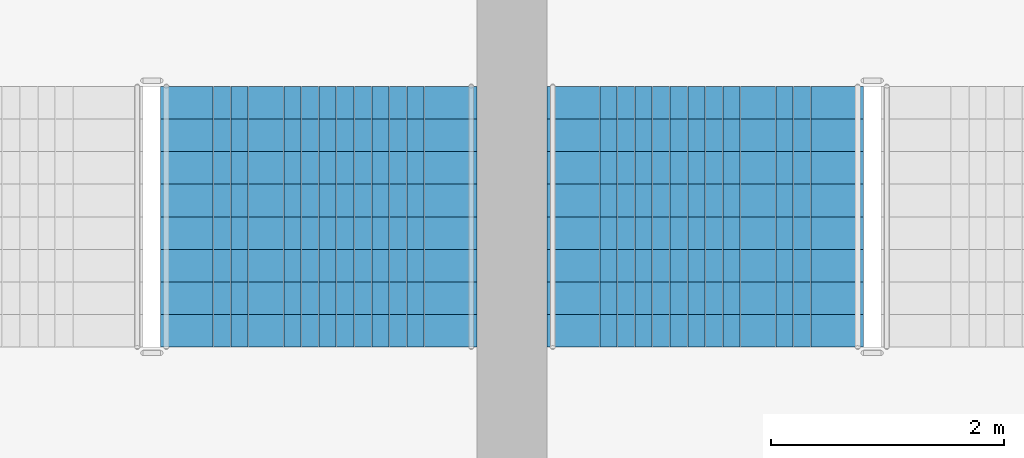
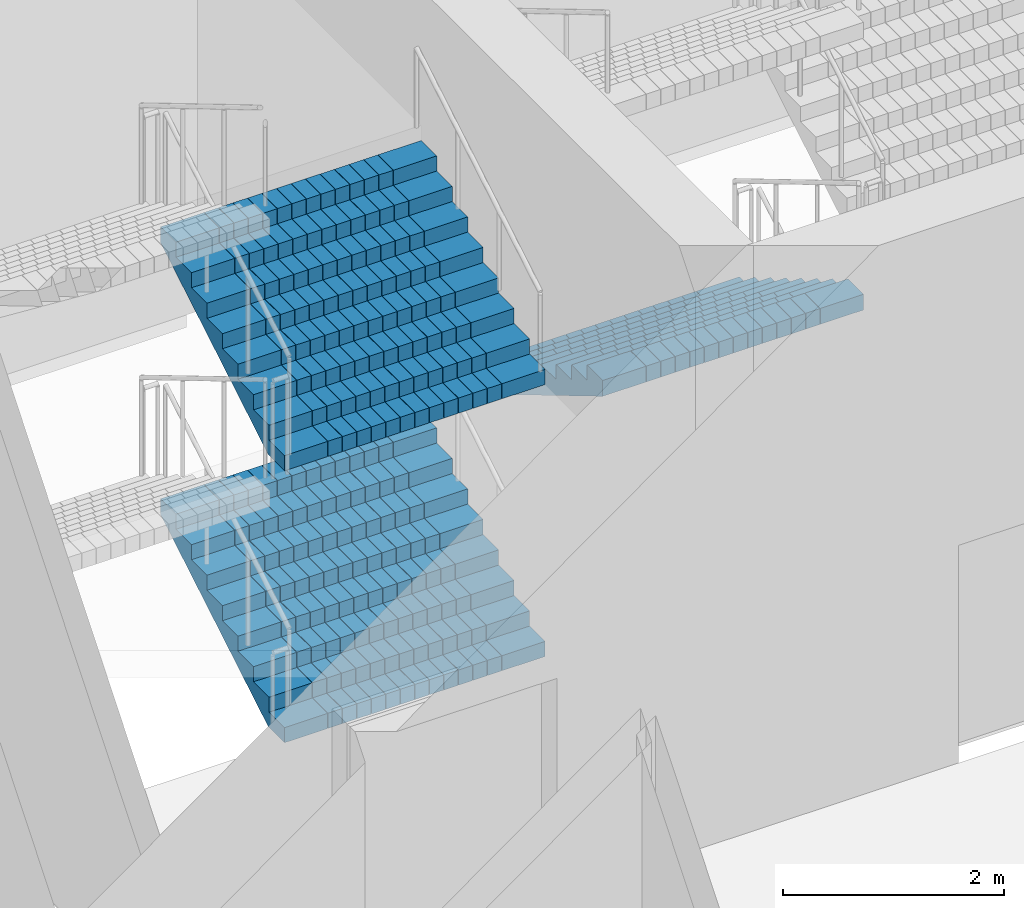
# One storey, part 29 of 43: 3 stair flights, 2 elements without a shape of their own.
"""IFC4 building model written with IfcOpenShell, lengths in metres."""

from ifc_helpers import new_model, si_unit, direction, frame, origin, place, context, subcontext, project, spatial, polyline, outline, extrude, material, type_object, element, aggregate, save


model = new_model("IFC4")

# Units and contexts
model_context = context("Model", 3, precision=1e-05, world=origin(), true_north=direction((0.0, 1.0)))
body_context = subcontext(model_context, "Body", "Model", "MODEL_VIEW")
ifc_project = project(units=[si_unit("LENGTHUNIT", "METRE"), si_unit("AREAUNIT", "SQUARE_METRE"), si_unit("VOLUMEUNIT", "CUBIC_METRE"), si_unit("PLANEANGLEUNIT", "RADIAN"), si_unit("MASSUNIT", "GRAM", prefix="KILO")], contexts=[model_context])

# Site, building, storey
site_placement = place(None, origin())
site = spatial("IfcSite", under=ifc_project, at=site_placement, CompositionType="ELEMENT")
building_placement = place(site_placement, origin())
building = spatial("IfcBuilding", under=site, at=building_placement, Name="Corbelhall Arena Tower", CompositionType="ELEMENT")
storey_placement = place(building_placement, frame((0.0, 0.0, 25.0)))
storey = spatial("IfcBuildingStorey", under=building, at=storey_placement, Name="L03", CompositionType="ELEMENT", Elevation=25.0)

# Stair, stair flight
ifc_material = material(Name="Reinforced concrete C40/50", Category="concrete")
stair_type = type_object("IfcStairType", Name="AR-EXIT-STAIR", PredefinedType="HALF_TURN_STAIR", material=ifc_material)
stair_1_placement = place(storey_placement, origin())
stair_1 = element("IfcStair", 1, at=stair_1_placement, inside=storey, type_object=stair_type, Name="L03 exit stair AS3", PredefinedType="HALF_TURN_STAIR")
stair_flight_type = type_object("IfcStairFlightType", Name="AR-EXIT-FLIGHT", PredefinedType="STRAIGHT", material=ifc_material)
stair_flight_1_placement = place(storey_placement, frame((-38.840087890625, 29.56005859375, 1.5), z_axis=(0.0, 0.0, 1.0), x_axis=(0.0, -1.0, 0.0)))
stair_flight_1 = element("IfcStairFlight", 2, at=stair_flight_1_placement, type_object=stair_flight_type, Name="AS3 flight 2", NumberOfRisers=9, NumberOfTreads=8, PredefinedType="STRAIGHT", RiserHeight=0.166666667, TreadLength=0.28, context=body_context, shape_type="SweptSolid", body=[
    extrude(outline(polyline([(0.0, 0.0), (0.0, 0.166748046875), (0.280029296875, 0.166748046875), (0.280029296875, 0.333251953125), (0.56005859375, 0.333251953125), (0.56005859375, 0.5), (0.840087890625, 0.5), (0.840087890625, 0.666748046875), (1.1201171875, 0.666748046875), (1.1201171875, 0.833251953125), (1.39990234375, 0.833251953125), (1.39990234375, 1.0), (1.679931640625, 1.0), (1.679931640625, 1.166748046875), (1.9599609375, 1.166748046875), (1.9599609375, 1.333251953125), (2.239990234375, 1.333251953125), (2.239990234375, 1.5), (2.239990234375, 1.158935546875), (0.29296875, 0.0), (0.0, 0.0)])), frame((0.0, 1.35986328125, 0.0), z_axis=(0.0, -1.0, 0.0), x_axis=(1.0, 0.0, 0.0)), (0.0, 0.0, 1.0), 0.449951171875),
    extrude(outline(polyline([(0.0, 0.0), (0.0, 0.166748046875), (0.280029296875, 0.166748046875), (0.280029296875, 0.333251953125), (0.56005859375, 0.333251953125), (0.56005859375, 0.5), (0.840087890625, 0.5), (0.840087890625, 0.666748046875), (1.1201171875, 0.666748046875), (1.1201171875, 0.833251953125), (1.39990234375, 0.833251953125), (1.39990234375, 1.0), (1.679931640625, 1.0), (1.679931640625, 1.166748046875), (1.9599609375, 1.166748046875), (1.9599609375, 1.333251953125), (2.239990234375, 1.333251953125), (2.239990234375, 1.5), (2.239990234375, 1.158935546875), (0.29296875, 0.0), (0.0, 0.0)])), frame((0.0, 0.906005859375, 0.0), z_axis=(0.0, -1.0, 0.0), x_axis=(1.0, 0.0, 0.0)), (0.0, 0.0, 1.0), 0.147216796875),
    extrude(outline(polyline([(0.0, 0.0), (0.0, 0.166748046875), (0.280029296875, 0.166748046875), (0.280029296875, 0.333251953125), (0.56005859375, 0.333251953125), (0.56005859375, 0.5), (0.840087890625, 0.5), (0.840087890625, 0.666748046875), (1.1201171875, 0.666748046875), (1.1201171875, 0.833251953125), (1.39990234375, 0.833251953125), (1.39990234375, 1.0), (1.679931640625, 1.0), (1.679931640625, 1.166748046875), (1.9599609375, 1.166748046875), (1.9599609375, 1.333251953125), (2.239990234375, 1.333251953125), (2.239990234375, 1.5), (2.239990234375, 1.158935546875), (0.29296875, 0.0), (0.0, 0.0)])), frame((0.0, 0.754638671875, 0.0), z_axis=(0.0, -1.0, 0.0), x_axis=(1.0, 0.0, 0.0)), (0.0, 0.0, 1.0), 0.147216796875),
    extrude(outline(polyline([(0.0, 0.0), (0.0, 0.166748046875), (0.280029296875, 0.166748046875), (0.280029296875, 0.333251953125), (0.56005859375, 0.333251953125), (0.56005859375, 0.5), (0.840087890625, 0.5), (0.840087890625, 0.666748046875), (1.1201171875, 0.666748046875), (1.1201171875, 0.833251953125), (1.39990234375, 0.833251953125), (1.39990234375, 1.0), (1.679931640625, 1.0), (1.679931640625, 1.166748046875), (1.9599609375, 1.166748046875), (1.9599609375, 1.333251953125), (2.239990234375, 1.333251953125), (2.239990234375, 1.5), (2.239990234375, 1.158935546875), (0.29296875, 0.0), (0.0, 0.0)])), frame((0.0, 0.603271484375, 0.0), z_axis=(0.0, -1.0, 0.0), x_axis=(1.0, 0.0, 0.0)), (0.0, 0.0, 1.0), 0.147216796875),
    extrude(outline(polyline([(0.0, 0.0), (0.0, 0.166748046875), (0.280029296875, 0.166748046875), (0.280029296875, 0.333251953125), (0.56005859375, 0.333251953125), (0.56005859375, 0.5), (0.840087890625, 0.5), (0.840087890625, 0.666748046875), (1.1201171875, 0.666748046875), (1.1201171875, 0.833251953125), (1.39990234375, 0.833251953125), (1.39990234375, 1.0), (1.679931640625, 1.0), (1.679931640625, 1.166748046875), (1.9599609375, 1.166748046875), (1.9599609375, 1.333251953125), (2.239990234375, 1.333251953125), (2.239990234375, 1.5), (2.239990234375, 1.158935546875), (0.29296875, 0.0), (0.0, 0.0)])), frame((0.0, 0.451904296875, 0.0), z_axis=(0.0, -1.0, 0.0), x_axis=(1.0, 0.0, 0.0)), (0.0, 0.0, 1.0), 0.147216796875),
    extrude(outline(polyline([(0.0, 0.0), (0.0, 0.166748046875), (0.280029296875, 0.166748046875), (0.280029296875, 0.333251953125), (0.56005859375, 0.333251953125), (0.56005859375, 0.5), (0.840087890625, 0.5), (0.840087890625, 0.666748046875), (1.1201171875, 0.666748046875), (1.1201171875, 0.833251953125), (1.39990234375, 0.833251953125), (1.39990234375, 1.0), (1.679931640625, 1.0), (1.679931640625, 1.166748046875), (1.9599609375, 1.166748046875), (1.9599609375, 1.333251953125), (2.239990234375, 1.333251953125), (2.239990234375, 1.5), (2.239990234375, 1.158935546875), (0.29296875, 0.0), (0.0, 0.0)])), frame((0.0, 0.30078125, 0.0), z_axis=(0.0, -1.0, 0.0), x_axis=(1.0, 0.0, 0.0)), (0.0, 0.0, 1.0), 0.147216796875),
    extrude(outline(polyline([(0.0, 0.0), (0.0, 0.166748046875), (0.280029296875, 0.166748046875), (0.280029296875, 0.333251953125), (0.56005859375, 0.333251953125), (0.56005859375, 0.5), (0.840087890625, 0.5), (0.840087890625, 0.666748046875), (1.1201171875, 0.666748046875), (1.1201171875, 0.833251953125), (1.39990234375, 0.833251953125), (1.39990234375, 1.0), (1.679931640625, 1.0), (1.679931640625, 1.166748046875), (1.9599609375, 1.166748046875), (1.9599609375, 1.333251953125), (2.239990234375, 1.333251953125), (2.239990234375, 1.5), (2.239990234375, 1.158935546875), (0.29296875, 0.0), (0.0, 0.0)])), frame((0.0, 0.1494140625, 0.0), z_axis=(0.0, -1.0, 0.0), x_axis=(1.0, 0.0, 0.0)), (0.0, 0.0, 1.0), 0.147216796875),
    extrude(outline(polyline([(0.0, 0.0), (0.0, 0.166748046875), (0.280029296875, 0.166748046875), (0.280029296875, 0.333251953125), (0.56005859375, 0.333251953125), (0.56005859375, 0.5), (0.840087890625, 0.5), (0.840087890625, 0.666748046875), (1.1201171875, 0.666748046875), (1.1201171875, 0.833251953125), (1.39990234375, 0.833251953125), (1.39990234375, 1.0), (1.679931640625, 1.0), (1.679931640625, 1.166748046875), (1.9599609375, 1.166748046875), (1.9599609375, 1.333251953125), (2.239990234375, 1.333251953125), (2.239990234375, 1.5), (2.239990234375, 1.158935546875), (0.29296875, 0.0), (0.0, 0.0)])), frame((0.0, -0.001953125, 0.0), z_axis=(0.0, -1.0, 0.0), x_axis=(1.0, 0.0, 0.0)), (0.0, 0.0, 1.0), 0.147216796875),
    extrude(outline(polyline([(0.0, 0.0), (0.0, 0.166748046875), (0.280029296875, 0.166748046875), (0.280029296875, 0.333251953125), (0.56005859375, 0.333251953125), (0.56005859375, 0.5), (0.840087890625, 0.5), (0.840087890625, 0.666748046875), (1.1201171875, 0.666748046875), (1.1201171875, 0.833251953125), (1.39990234375, 0.833251953125), (1.39990234375, 1.0), (1.679931640625, 1.0), (1.679931640625, 1.166748046875), (1.9599609375, 1.166748046875), (1.9599609375, 1.333251953125), (2.239990234375, 1.333251953125), (2.239990234375, 1.5), (2.239990234375, 1.158935546875), (0.29296875, 0.0), (0.0, 0.0)])), frame((0.0, -0.1533203125, 0.0), z_axis=(0.0, -1.0, 0.0), x_axis=(1.0, 0.0, 0.0)), (0.0, 0.0, 1.0), 0.147216796875),
    extrude(outline(polyline([(0.0, 0.0), (0.0, 0.166748046875), (0.280029296875, 0.166748046875), (0.280029296875, 0.333251953125), (0.56005859375, 0.333251953125), (0.56005859375, 0.5), (0.840087890625, 0.5), (0.840087890625, 0.666748046875), (1.1201171875, 0.666748046875), (1.1201171875, 0.833251953125), (1.39990234375, 0.833251953125), (1.39990234375, 1.0), (1.679931640625, 1.0), (1.679931640625, 1.166748046875), (1.9599609375, 1.166748046875), (1.9599609375, 1.333251953125), (2.239990234375, 1.333251953125), (2.239990234375, 1.5), (2.239990234375, 1.158935546875), (0.29296875, 0.0), (0.0, 0.0)])), frame((0.0, -0.3046875, 0.0), z_axis=(0.0, -1.0, 0.0), x_axis=(1.0, 0.0, 0.0)), (0.0, 0.0, 1.0), 0.147216796875),
    extrude(outline(polyline([(0.0, 0.0), (0.0, 0.166748046875), (0.280029296875, 0.166748046875), (0.280029296875, 0.333251953125), (0.56005859375, 0.333251953125), (0.56005859375, 0.5), (0.840087890625, 0.5), (0.840087890625, 0.666748046875), (1.1201171875, 0.666748046875), (1.1201171875, 0.833251953125), (1.39990234375, 0.833251953125), (1.39990234375, 1.0), (1.679931640625, 1.0), (1.679931640625, 1.166748046875), (1.9599609375, 1.166748046875), (1.9599609375, 1.333251953125), (2.239990234375, 1.333251953125), (2.239990234375, 1.5), (2.239990234375, 1.158935546875), (0.29296875, 0.0), (0.0, 0.0)])), frame((0.0, -0.4560546875, 0.0), z_axis=(0.0, -1.0, 0.0), x_axis=(1.0, 0.0, 0.0)), (0.0, 0.0, 1.0), 0.147216796875),
    extrude(outline(polyline([(0.0, 0.0), (0.0, 0.166748046875), (0.280029296875, 0.166748046875), (0.280029296875, 0.333251953125), (0.56005859375, 0.333251953125), (0.56005859375, 0.5), (0.840087890625, 0.5), (0.840087890625, 0.666748046875), (1.1201171875, 0.666748046875), (1.1201171875, 0.833251953125), (1.39990234375, 0.833251953125), (1.39990234375, 1.0), (1.679931640625, 1.0), (1.679931640625, 1.166748046875), (1.9599609375, 1.166748046875), (1.9599609375, 1.333251953125), (2.239990234375, 1.333251953125), (2.239990234375, 1.5), (2.239990234375, 1.158935546875), (0.29296875, 0.0), (0.0, 0.0)])), frame((0.0, -0.607421875, 0.0), z_axis=(0.0, -1.0, 0.0), x_axis=(1.0, 0.0, 0.0)), (0.0, 0.0, 1.0), 0.147216796875),
    extrude(outline(polyline([(0.0, 0.0), (0.0, 0.166748046875), (0.280029296875, 0.166748046875), (0.280029296875, 0.333251953125), (0.56005859375, 0.333251953125), (0.56005859375, 0.5), (0.840087890625, 0.5), (0.840087890625, 0.666748046875), (1.1201171875, 0.666748046875), (1.1201171875, 0.833251953125), (1.39990234375, 0.833251953125), (1.39990234375, 1.0), (1.679931640625, 1.0), (1.679931640625, 1.166748046875), (1.9599609375, 1.166748046875), (1.9599609375, 1.333251953125), (2.239990234375, 1.333251953125), (2.239990234375, 1.5), (2.239990234375, 1.158935546875), (0.29296875, 0.0), (0.0, 0.0)])), frame((0.0, -0.758544921875, 0.0), z_axis=(0.0, -1.0, 0.0), x_axis=(1.0, 0.0, 0.0)), (0.0, 0.0, 1.0), 0.147216796875),
    extrude(outline(polyline([(0.0, 0.0), (0.0, 0.166748046875), (0.280029296875, 0.166748046875), (0.280029296875, 0.333251953125), (0.56005859375, 0.333251953125), (0.56005859375, 0.5), (0.840087890625, 0.5), (0.840087890625, 0.666748046875), (1.1201171875, 0.666748046875), (1.1201171875, 0.833251953125), (1.39990234375, 0.833251953125), (1.39990234375, 1.0), (1.679931640625, 1.0), (1.679931640625, 1.166748046875), (1.9599609375, 1.166748046875), (1.9599609375, 1.333251953125), (2.239990234375, 1.333251953125), (2.239990234375, 1.5), (2.239990234375, 1.158935546875), (0.29296875, 0.0), (0.0, 0.0)])), frame((0.0, -0.909912109375, 0.0), z_axis=(0.0, -1.0, 0.0), x_axis=(1.0, 0.0, 0.0)), (0.0, 0.0, 1.0), 0.449951171875),
])
aggregate(stair_1, [stair_flight_1])

# Stair, stair flights
stair_2_placement = place(storey_placement, origin())
stair_2 = element("IfcStair", 3, at=stair_2_placement, inside=storey, type_object=stair_type, Name="L03 exit stair AS4", PredefinedType="HALF_TURN_STAIR")
stair_flight_2_placement = place(storey_placement, frame((-42.159912109375, 27.320068359375, 0.0), z_axis=(0.0, 0.0, 1.0), x_axis=(0.0, 1.0, 0.0)))
stair_flight_2 = element("IfcStairFlight", 4, at=stair_flight_2_placement, type_object=stair_flight_type, Name="AS4 flight 1", NumberOfRisers=9, NumberOfTreads=8, PredefinedType="STRAIGHT", RiserHeight=0.166666667, TreadLength=0.28, context=body_context, shape_type="SweptSolid", body=[
    extrude(outline(polyline([(0.0, 0.0), (0.0, 0.166748046875), (0.280029296875, 0.166748046875), (0.280029296875, 0.333251953125), (0.56005859375, 0.333251953125), (0.56005859375, 0.5), (0.840087890625, 0.5), (0.840087890625, 0.666748046875), (1.1201171875, 0.666748046875), (1.1201171875, 0.833251953125), (1.39990234375, 0.833251953125), (1.39990234375, 1.0), (1.679931640625, 1.0), (1.679931640625, 1.166748046875), (1.9599609375, 1.166748046875), (1.9599609375, 1.333251953125), (2.239990234375, 1.333251953125), (2.239990234375, 1.5), (2.239990234375, 1.158935546875), (0.29296875, 0.0), (0.0, 0.0)])), frame((0.0, 1.35986328125, 0.0), z_axis=(0.0, -1.0, 0.0), x_axis=(1.0, 0.0, 0.0)), (0.0, 0.0, 1.0), 0.449951171875),
    extrude(outline(polyline([(0.0, 0.0), (0.0, 0.166748046875), (0.280029296875, 0.166748046875), (0.280029296875, 0.333251953125), (0.56005859375, 0.333251953125), (0.56005859375, 0.5), (0.840087890625, 0.5), (0.840087890625, 0.666748046875), (1.1201171875, 0.666748046875), (1.1201171875, 0.833251953125), (1.39990234375, 0.833251953125), (1.39990234375, 1.0), (1.679931640625, 1.0), (1.679931640625, 1.166748046875), (1.9599609375, 1.166748046875), (1.9599609375, 1.333251953125), (2.239990234375, 1.333251953125), (2.239990234375, 1.5), (2.239990234375, 1.158935546875), (0.29296875, 0.0), (0.0, 0.0)])), frame((0.0, 0.906005859375, 0.0), z_axis=(0.0, -1.0, 0.0), x_axis=(1.0, 0.0, 0.0)), (0.0, 0.0, 1.0), 0.147216796875),
    extrude(outline(polyline([(0.0, 0.0), (0.0, 0.166748046875), (0.280029296875, 0.166748046875), (0.280029296875, 0.333251953125), (0.56005859375, 0.333251953125), (0.56005859375, 0.5), (0.840087890625, 0.5), (0.840087890625, 0.666748046875), (1.1201171875, 0.666748046875), (1.1201171875, 0.833251953125), (1.39990234375, 0.833251953125), (1.39990234375, 1.0), (1.679931640625, 1.0), (1.679931640625, 1.166748046875), (1.9599609375, 1.166748046875), (1.9599609375, 1.333251953125), (2.239990234375, 1.333251953125), (2.239990234375, 1.5), (2.239990234375, 1.158935546875), (0.29296875, 0.0), (0.0, 0.0)])), frame((0.0, 0.754638671875, 0.0), z_axis=(0.0, -1.0, 0.0), x_axis=(1.0, 0.0, 0.0)), (0.0, 0.0, 1.0), 0.147216796875),
    extrude(outline(polyline([(0.0, 0.0), (0.0, 0.166748046875), (0.280029296875, 0.166748046875), (0.280029296875, 0.333251953125), (0.56005859375, 0.333251953125), (0.56005859375, 0.5), (0.840087890625, 0.5), (0.840087890625, 0.666748046875), (1.1201171875, 0.666748046875), (1.1201171875, 0.833251953125), (1.39990234375, 0.833251953125), (1.39990234375, 1.0), (1.679931640625, 1.0), (1.679931640625, 1.166748046875), (1.9599609375, 1.166748046875), (1.9599609375, 1.333251953125), (2.239990234375, 1.333251953125), (2.239990234375, 1.5), (2.239990234375, 1.158935546875), (0.29296875, 0.0), (0.0, 0.0)])), frame((0.0, 0.603271484375, 0.0), z_axis=(0.0, -1.0, 0.0), x_axis=(1.0, 0.0, 0.0)), (0.0, 0.0, 1.0), 0.147216796875),
    extrude(outline(polyline([(0.0, 0.0), (0.0, 0.166748046875), (0.280029296875, 0.166748046875), (0.280029296875, 0.333251953125), (0.56005859375, 0.333251953125), (0.56005859375, 0.5), (0.840087890625, 0.5), (0.840087890625, 0.666748046875), (1.1201171875, 0.666748046875), (1.1201171875, 0.833251953125), (1.39990234375, 0.833251953125), (1.39990234375, 1.0), (1.679931640625, 1.0), (1.679931640625, 1.166748046875), (1.9599609375, 1.166748046875), (1.9599609375, 1.333251953125), (2.239990234375, 1.333251953125), (2.239990234375, 1.5), (2.239990234375, 1.158935546875), (0.29296875, 0.0), (0.0, 0.0)])), frame((0.0, 0.451904296875, 0.0), z_axis=(0.0, -1.0, 0.0), x_axis=(1.0, 0.0, 0.0)), (0.0, 0.0, 1.0), 0.147216796875),
    extrude(outline(polyline([(0.0, 0.0), (0.0, 0.166748046875), (0.280029296875, 0.166748046875), (0.280029296875, 0.333251953125), (0.56005859375, 0.333251953125), (0.56005859375, 0.5), (0.840087890625, 0.5), (0.840087890625, 0.666748046875), (1.1201171875, 0.666748046875), (1.1201171875, 0.833251953125), (1.39990234375, 0.833251953125), (1.39990234375, 1.0), (1.679931640625, 1.0), (1.679931640625, 1.166748046875), (1.9599609375, 1.166748046875), (1.9599609375, 1.333251953125), (2.239990234375, 1.333251953125), (2.239990234375, 1.5), (2.239990234375, 1.158935546875), (0.29296875, 0.0), (0.0, 0.0)])), frame((0.0, 0.30078125, 0.0), z_axis=(0.0, -1.0, 0.0), x_axis=(1.0, 0.0, 0.0)), (0.0, 0.0, 1.0), 0.147216796875),
    extrude(outline(polyline([(0.0, 0.0), (0.0, 0.166748046875), (0.280029296875, 0.166748046875), (0.280029296875, 0.333251953125), (0.56005859375, 0.333251953125), (0.56005859375, 0.5), (0.840087890625, 0.5), (0.840087890625, 0.666748046875), (1.1201171875, 0.666748046875), (1.1201171875, 0.833251953125), (1.39990234375, 0.833251953125), (1.39990234375, 1.0), (1.679931640625, 1.0), (1.679931640625, 1.166748046875), (1.9599609375, 1.166748046875), (1.9599609375, 1.333251953125), (2.239990234375, 1.333251953125), (2.239990234375, 1.5), (2.239990234375, 1.158935546875), (0.29296875, 0.0), (0.0, 0.0)])), frame((0.0, 0.1494140625, 0.0), z_axis=(0.0, -1.0, 0.0), x_axis=(1.0, 0.0, 0.0)), (0.0, 0.0, 1.0), 0.147216796875),
    extrude(outline(polyline([(0.0, 0.0), (0.0, 0.166748046875), (0.280029296875, 0.166748046875), (0.280029296875, 0.333251953125), (0.56005859375, 0.333251953125), (0.56005859375, 0.5), (0.840087890625, 0.5), (0.840087890625, 0.666748046875), (1.1201171875, 0.666748046875), (1.1201171875, 0.833251953125), (1.39990234375, 0.833251953125), (1.39990234375, 1.0), (1.679931640625, 1.0), (1.679931640625, 1.166748046875), (1.9599609375, 1.166748046875), (1.9599609375, 1.333251953125), (2.239990234375, 1.333251953125), (2.239990234375, 1.5), (2.239990234375, 1.158935546875), (0.29296875, 0.0), (0.0, 0.0)])), frame((0.0, -0.001953125, 0.0), z_axis=(0.0, -1.0, 0.0), x_axis=(1.0, 0.0, 0.0)), (0.0, 0.0, 1.0), 0.147216796875),
    extrude(outline(polyline([(0.0, 0.0), (0.0, 0.166748046875), (0.280029296875, 0.166748046875), (0.280029296875, 0.333251953125), (0.56005859375, 0.333251953125), (0.56005859375, 0.5), (0.840087890625, 0.5), (0.840087890625, 0.666748046875), (1.1201171875, 0.666748046875), (1.1201171875, 0.833251953125), (1.39990234375, 0.833251953125), (1.39990234375, 1.0), (1.679931640625, 1.0), (1.679931640625, 1.166748046875), (1.9599609375, 1.166748046875), (1.9599609375, 1.333251953125), (2.239990234375, 1.333251953125), (2.239990234375, 1.5), (2.239990234375, 1.158935546875), (0.29296875, 0.0), (0.0, 0.0)])), frame((0.0, -0.1533203125, 0.0), z_axis=(0.0, -1.0, 0.0), x_axis=(1.0, 0.0, 0.0)), (0.0, 0.0, 1.0), 0.147216796875),
    extrude(outline(polyline([(0.0, 0.0), (0.0, 0.166748046875), (0.280029296875, 0.166748046875), (0.280029296875, 0.333251953125), (0.56005859375, 0.333251953125), (0.56005859375, 0.5), (0.840087890625, 0.5), (0.840087890625, 0.666748046875), (1.1201171875, 0.666748046875), (1.1201171875, 0.833251953125), (1.39990234375, 0.833251953125), (1.39990234375, 1.0), (1.679931640625, 1.0), (1.679931640625, 1.166748046875), (1.9599609375, 1.166748046875), (1.9599609375, 1.333251953125), (2.239990234375, 1.333251953125), (2.239990234375, 1.5), (2.239990234375, 1.158935546875), (0.29296875, 0.0), (0.0, 0.0)])), frame((0.0, -0.3046875, 0.0), z_axis=(0.0, -1.0, 0.0), x_axis=(1.0, 0.0, 0.0)), (0.0, 0.0, 1.0), 0.147216796875),
    extrude(outline(polyline([(0.0, 0.0), (0.0, 0.166748046875), (0.280029296875, 0.166748046875), (0.280029296875, 0.333251953125), (0.56005859375, 0.333251953125), (0.56005859375, 0.5), (0.840087890625, 0.5), (0.840087890625, 0.666748046875), (1.1201171875, 0.666748046875), (1.1201171875, 0.833251953125), (1.39990234375, 0.833251953125), (1.39990234375, 1.0), (1.679931640625, 1.0), (1.679931640625, 1.166748046875), (1.9599609375, 1.166748046875), (1.9599609375, 1.333251953125), (2.239990234375, 1.333251953125), (2.239990234375, 1.5), (2.239990234375, 1.158935546875), (0.29296875, 0.0), (0.0, 0.0)])), frame((0.0, -0.4560546875, 0.0), z_axis=(0.0, -1.0, 0.0), x_axis=(1.0, 0.0, 0.0)), (0.0, 0.0, 1.0), 0.147216796875),
    extrude(outline(polyline([(0.0, 0.0), (0.0, 0.166748046875), (0.280029296875, 0.166748046875), (0.280029296875, 0.333251953125), (0.56005859375, 0.333251953125), (0.56005859375, 0.5), (0.840087890625, 0.5), (0.840087890625, 0.666748046875), (1.1201171875, 0.666748046875), (1.1201171875, 0.833251953125), (1.39990234375, 0.833251953125), (1.39990234375, 1.0), (1.679931640625, 1.0), (1.679931640625, 1.166748046875), (1.9599609375, 1.166748046875), (1.9599609375, 1.333251953125), (2.239990234375, 1.333251953125), (2.239990234375, 1.5), (2.239990234375, 1.158935546875), (0.29296875, 0.0), (0.0, 0.0)])), frame((0.0, -0.607421875, 0.0), z_axis=(0.0, -1.0, 0.0), x_axis=(1.0, 0.0, 0.0)), (0.0, 0.0, 1.0), 0.147216796875),
    extrude(outline(polyline([(0.0, 0.0), (0.0, 0.166748046875), (0.280029296875, 0.166748046875), (0.280029296875, 0.333251953125), (0.56005859375, 0.333251953125), (0.56005859375, 0.5), (0.840087890625, 0.5), (0.840087890625, 0.666748046875), (1.1201171875, 0.666748046875), (1.1201171875, 0.833251953125), (1.39990234375, 0.833251953125), (1.39990234375, 1.0), (1.679931640625, 1.0), (1.679931640625, 1.166748046875), (1.9599609375, 1.166748046875), (1.9599609375, 1.333251953125), (2.239990234375, 1.333251953125), (2.239990234375, 1.5), (2.239990234375, 1.158935546875), (0.29296875, 0.0), (0.0, 0.0)])), frame((0.0, -0.758544921875, 0.0), z_axis=(0.0, -1.0, 0.0), x_axis=(1.0, 0.0, 0.0)), (0.0, 0.0, 1.0), 0.147216796875),
    extrude(outline(polyline([(0.0, 0.0), (0.0, 0.166748046875), (0.280029296875, 0.166748046875), (0.280029296875, 0.333251953125), (0.56005859375, 0.333251953125), (0.56005859375, 0.5), (0.840087890625, 0.5), (0.840087890625, 0.666748046875), (1.1201171875, 0.666748046875), (1.1201171875, 0.833251953125), (1.39990234375, 0.833251953125), (1.39990234375, 1.0), (1.679931640625, 1.0), (1.679931640625, 1.166748046875), (1.9599609375, 1.166748046875), (1.9599609375, 1.333251953125), (2.239990234375, 1.333251953125), (2.239990234375, 1.5), (2.239990234375, 1.158935546875), (0.29296875, 0.0), (0.0, 0.0)])), frame((0.0, -0.909912109375, 0.0), z_axis=(0.0, -1.0, 0.0), x_axis=(1.0, 0.0, 0.0)), (0.0, 0.0, 1.0), 0.449951171875),
])
stair_flight_3_placement = place(storey_placement, frame((-42.159912109375, 27.320068359375, 3.0), z_axis=(0.0, 0.0, 1.0), x_axis=(0.0, 1.0, 0.0)))
stair_flight_3 = element("IfcStairFlight", 5, at=stair_flight_3_placement, type_object=stair_flight_type, Name="AS4 flight 3", NumberOfRisers=9, NumberOfTreads=8, PredefinedType="STRAIGHT", RiserHeight=0.166666667, TreadLength=0.28, context=body_context, shape_type="SweptSolid", body=[
    extrude(outline(polyline([(0.0, 0.0), (0.0, 0.166748046875), (0.280029296875, 0.166748046875), (0.280029296875, 0.333251953125), (0.56005859375, 0.333251953125), (0.56005859375, 0.5), (0.840087890625, 0.5), (0.840087890625, 0.666748046875), (1.1201171875, 0.666748046875), (1.1201171875, 0.833251953125), (1.39990234375, 0.833251953125), (1.39990234375, 1.0), (1.679931640625, 1.0), (1.679931640625, 1.166748046875), (1.9599609375, 1.166748046875), (1.9599609375, 1.333251953125), (2.239990234375, 1.333251953125), (2.239990234375, 1.5), (2.239990234375, 1.158935546875), (0.29296875, 0.0), (0.0, 0.0)])), frame((0.0, 1.35986328125, 0.0), z_axis=(0.0, -1.0, 0.0), x_axis=(1.0, 0.0, 0.0)), (0.0, 0.0, 1.0), 0.449951171875),
    extrude(outline(polyline([(0.0, 0.0), (0.0, 0.166748046875), (0.280029296875, 0.166748046875), (0.280029296875, 0.333251953125), (0.56005859375, 0.333251953125), (0.56005859375, 0.5), (0.840087890625, 0.5), (0.840087890625, 0.666748046875), (1.1201171875, 0.666748046875), (1.1201171875, 0.833251953125), (1.39990234375, 0.833251953125), (1.39990234375, 1.0), (1.679931640625, 1.0), (1.679931640625, 1.166748046875), (1.9599609375, 1.166748046875), (1.9599609375, 1.333251953125), (2.239990234375, 1.333251953125), (2.239990234375, 1.5), (2.239990234375, 1.158935546875), (0.29296875, 0.0), (0.0, 0.0)])), frame((0.0, 0.906005859375, 0.0), z_axis=(0.0, -1.0, 0.0), x_axis=(1.0, 0.0, 0.0)), (0.0, 0.0, 1.0), 0.147216796875),
    extrude(outline(polyline([(0.0, 0.0), (0.0, 0.166748046875), (0.280029296875, 0.166748046875), (0.280029296875, 0.333251953125), (0.56005859375, 0.333251953125), (0.56005859375, 0.5), (0.840087890625, 0.5), (0.840087890625, 0.666748046875), (1.1201171875, 0.666748046875), (1.1201171875, 0.833251953125), (1.39990234375, 0.833251953125), (1.39990234375, 1.0), (1.679931640625, 1.0), (1.679931640625, 1.166748046875), (1.9599609375, 1.166748046875), (1.9599609375, 1.333251953125), (2.239990234375, 1.333251953125), (2.239990234375, 1.5), (2.239990234375, 1.158935546875), (0.29296875, 0.0), (0.0, 0.0)])), frame((0.0, 0.754638671875, 0.0), z_axis=(0.0, -1.0, 0.0), x_axis=(1.0, 0.0, 0.0)), (0.0, 0.0, 1.0), 0.147216796875),
    extrude(outline(polyline([(0.0, 0.0), (0.0, 0.166748046875), (0.280029296875, 0.166748046875), (0.280029296875, 0.333251953125), (0.56005859375, 0.333251953125), (0.56005859375, 0.5), (0.840087890625, 0.5), (0.840087890625, 0.666748046875), (1.1201171875, 0.666748046875), (1.1201171875, 0.833251953125), (1.39990234375, 0.833251953125), (1.39990234375, 1.0), (1.679931640625, 1.0), (1.679931640625, 1.166748046875), (1.9599609375, 1.166748046875), (1.9599609375, 1.333251953125), (2.239990234375, 1.333251953125), (2.239990234375, 1.5), (2.239990234375, 1.158935546875), (0.29296875, 0.0), (0.0, 0.0)])), frame((0.0, 0.603271484375, 0.0), z_axis=(0.0, -1.0, 0.0), x_axis=(1.0, 0.0, 0.0)), (0.0, 0.0, 1.0), 0.147216796875),
    extrude(outline(polyline([(0.0, 0.0), (0.0, 0.166748046875), (0.280029296875, 0.166748046875), (0.280029296875, 0.333251953125), (0.56005859375, 0.333251953125), (0.56005859375, 0.5), (0.840087890625, 0.5), (0.840087890625, 0.666748046875), (1.1201171875, 0.666748046875), (1.1201171875, 0.833251953125), (1.39990234375, 0.833251953125), (1.39990234375, 1.0), (1.679931640625, 1.0), (1.679931640625, 1.166748046875), (1.9599609375, 1.166748046875), (1.9599609375, 1.333251953125), (2.239990234375, 1.333251953125), (2.239990234375, 1.5), (2.239990234375, 1.158935546875), (0.29296875, 0.0), (0.0, 0.0)])), frame((0.0, 0.451904296875, 0.0), z_axis=(0.0, -1.0, 0.0), x_axis=(1.0, 0.0, 0.0)), (0.0, 0.0, 1.0), 0.147216796875),
    extrude(outline(polyline([(0.0, 0.0), (0.0, 0.166748046875), (0.280029296875, 0.166748046875), (0.280029296875, 0.333251953125), (0.56005859375, 0.333251953125), (0.56005859375, 0.5), (0.840087890625, 0.5), (0.840087890625, 0.666748046875), (1.1201171875, 0.666748046875), (1.1201171875, 0.833251953125), (1.39990234375, 0.833251953125), (1.39990234375, 1.0), (1.679931640625, 1.0), (1.679931640625, 1.166748046875), (1.9599609375, 1.166748046875), (1.9599609375, 1.333251953125), (2.239990234375, 1.333251953125), (2.239990234375, 1.5), (2.239990234375, 1.158935546875), (0.29296875, 0.0), (0.0, 0.0)])), frame((0.0, 0.30078125, 0.0), z_axis=(0.0, -1.0, 0.0), x_axis=(1.0, 0.0, 0.0)), (0.0, 0.0, 1.0), 0.147216796875),
    extrude(outline(polyline([(0.0, 0.0), (0.0, 0.166748046875), (0.280029296875, 0.166748046875), (0.280029296875, 0.333251953125), (0.56005859375, 0.333251953125), (0.56005859375, 0.5), (0.840087890625, 0.5), (0.840087890625, 0.666748046875), (1.1201171875, 0.666748046875), (1.1201171875, 0.833251953125), (1.39990234375, 0.833251953125), (1.39990234375, 1.0), (1.679931640625, 1.0), (1.679931640625, 1.166748046875), (1.9599609375, 1.166748046875), (1.9599609375, 1.333251953125), (2.239990234375, 1.333251953125), (2.239990234375, 1.5), (2.239990234375, 1.158935546875), (0.29296875, 0.0), (0.0, 0.0)])), frame((0.0, 0.1494140625, 0.0), z_axis=(0.0, -1.0, 0.0), x_axis=(1.0, 0.0, 0.0)), (0.0, 0.0, 1.0), 0.147216796875),
    extrude(outline(polyline([(0.0, 0.0), (0.0, 0.166748046875), (0.280029296875, 0.166748046875), (0.280029296875, 0.333251953125), (0.56005859375, 0.333251953125), (0.56005859375, 0.5), (0.840087890625, 0.5), (0.840087890625, 0.666748046875), (1.1201171875, 0.666748046875), (1.1201171875, 0.833251953125), (1.39990234375, 0.833251953125), (1.39990234375, 1.0), (1.679931640625, 1.0), (1.679931640625, 1.166748046875), (1.9599609375, 1.166748046875), (1.9599609375, 1.333251953125), (2.239990234375, 1.333251953125), (2.239990234375, 1.5), (2.239990234375, 1.158935546875), (0.29296875, 0.0), (0.0, 0.0)])), frame((0.0, -0.001953125, 0.0), z_axis=(0.0, -1.0, 0.0), x_axis=(1.0, 0.0, 0.0)), (0.0, 0.0, 1.0), 0.147216796875),
    extrude(outline(polyline([(0.0, 0.0), (0.0, 0.166748046875), (0.280029296875, 0.166748046875), (0.280029296875, 0.333251953125), (0.56005859375, 0.333251953125), (0.56005859375, 0.5), (0.840087890625, 0.5), (0.840087890625, 0.666748046875), (1.1201171875, 0.666748046875), (1.1201171875, 0.833251953125), (1.39990234375, 0.833251953125), (1.39990234375, 1.0), (1.679931640625, 1.0), (1.679931640625, 1.166748046875), (1.9599609375, 1.166748046875), (1.9599609375, 1.333251953125), (2.239990234375, 1.333251953125), (2.239990234375, 1.5), (2.239990234375, 1.158935546875), (0.29296875, 0.0), (0.0, 0.0)])), frame((0.0, -0.1533203125, 0.0), z_axis=(0.0, -1.0, 0.0), x_axis=(1.0, 0.0, 0.0)), (0.0, 0.0, 1.0), 0.147216796875),
    extrude(outline(polyline([(0.0, 0.0), (0.0, 0.166748046875), (0.280029296875, 0.166748046875), (0.280029296875, 0.333251953125), (0.56005859375, 0.333251953125), (0.56005859375, 0.5), (0.840087890625, 0.5), (0.840087890625, 0.666748046875), (1.1201171875, 0.666748046875), (1.1201171875, 0.833251953125), (1.39990234375, 0.833251953125), (1.39990234375, 1.0), (1.679931640625, 1.0), (1.679931640625, 1.166748046875), (1.9599609375, 1.166748046875), (1.9599609375, 1.333251953125), (2.239990234375, 1.333251953125), (2.239990234375, 1.5), (2.239990234375, 1.158935546875), (0.29296875, 0.0), (0.0, 0.0)])), frame((0.0, -0.3046875, 0.0), z_axis=(0.0, -1.0, 0.0), x_axis=(1.0, 0.0, 0.0)), (0.0, 0.0, 1.0), 0.147216796875),
    extrude(outline(polyline([(0.0, 0.0), (0.0, 0.166748046875), (0.280029296875, 0.166748046875), (0.280029296875, 0.333251953125), (0.56005859375, 0.333251953125), (0.56005859375, 0.5), (0.840087890625, 0.5), (0.840087890625, 0.666748046875), (1.1201171875, 0.666748046875), (1.1201171875, 0.833251953125), (1.39990234375, 0.833251953125), (1.39990234375, 1.0), (1.679931640625, 1.0), (1.679931640625, 1.166748046875), (1.9599609375, 1.166748046875), (1.9599609375, 1.333251953125), (2.239990234375, 1.333251953125), (2.239990234375, 1.5), (2.239990234375, 1.158935546875), (0.29296875, 0.0), (0.0, 0.0)])), frame((0.0, -0.4560546875, 0.0), z_axis=(0.0, -1.0, 0.0), x_axis=(1.0, 0.0, 0.0)), (0.0, 0.0, 1.0), 0.147216796875),
    extrude(outline(polyline([(0.0, 0.0), (0.0, 0.166748046875), (0.280029296875, 0.166748046875), (0.280029296875, 0.333251953125), (0.56005859375, 0.333251953125), (0.56005859375, 0.5), (0.840087890625, 0.5), (0.840087890625, 0.666748046875), (1.1201171875, 0.666748046875), (1.1201171875, 0.833251953125), (1.39990234375, 0.833251953125), (1.39990234375, 1.0), (1.679931640625, 1.0), (1.679931640625, 1.166748046875), (1.9599609375, 1.166748046875), (1.9599609375, 1.333251953125), (2.239990234375, 1.333251953125), (2.239990234375, 1.5), (2.239990234375, 1.158935546875), (0.29296875, 0.0), (0.0, 0.0)])), frame((0.0, -0.607421875, 0.0), z_axis=(0.0, -1.0, 0.0), x_axis=(1.0, 0.0, 0.0)), (0.0, 0.0, 1.0), 0.147216796875),
    extrude(outline(polyline([(0.0, 0.0), (0.0, 0.166748046875), (0.280029296875, 0.166748046875), (0.280029296875, 0.333251953125), (0.56005859375, 0.333251953125), (0.56005859375, 0.5), (0.840087890625, 0.5), (0.840087890625, 0.666748046875), (1.1201171875, 0.666748046875), (1.1201171875, 0.833251953125), (1.39990234375, 0.833251953125), (1.39990234375, 1.0), (1.679931640625, 1.0), (1.679931640625, 1.166748046875), (1.9599609375, 1.166748046875), (1.9599609375, 1.333251953125), (2.239990234375, 1.333251953125), (2.239990234375, 1.5), (2.239990234375, 1.158935546875), (0.29296875, 0.0), (0.0, 0.0)])), frame((0.0, -0.758544921875, 0.0), z_axis=(0.0, -1.0, 0.0), x_axis=(1.0, 0.0, 0.0)), (0.0, 0.0, 1.0), 0.147216796875),
    extrude(outline(polyline([(0.0, 0.0), (0.0, 0.166748046875), (0.280029296875, 0.166748046875), (0.280029296875, 0.333251953125), (0.56005859375, 0.333251953125), (0.56005859375, 0.5), (0.840087890625, 0.5), (0.840087890625, 0.666748046875), (1.1201171875, 0.666748046875), (1.1201171875, 0.833251953125), (1.39990234375, 0.833251953125), (1.39990234375, 1.0), (1.679931640625, 1.0), (1.679931640625, 1.166748046875), (1.9599609375, 1.166748046875), (1.9599609375, 1.333251953125), (2.239990234375, 1.333251953125), (2.239990234375, 1.5), (2.239990234375, 1.158935546875), (0.29296875, 0.0), (0.0, 0.0)])), frame((0.0, -0.909912109375, 0.0), z_axis=(0.0, -1.0, 0.0), x_axis=(1.0, 0.0, 0.0)), (0.0, 0.0, 1.0), 0.449951171875),
])
aggregate(stair_2, [stair_flight_2, stair_flight_3])

save(model, "model.ifc")
